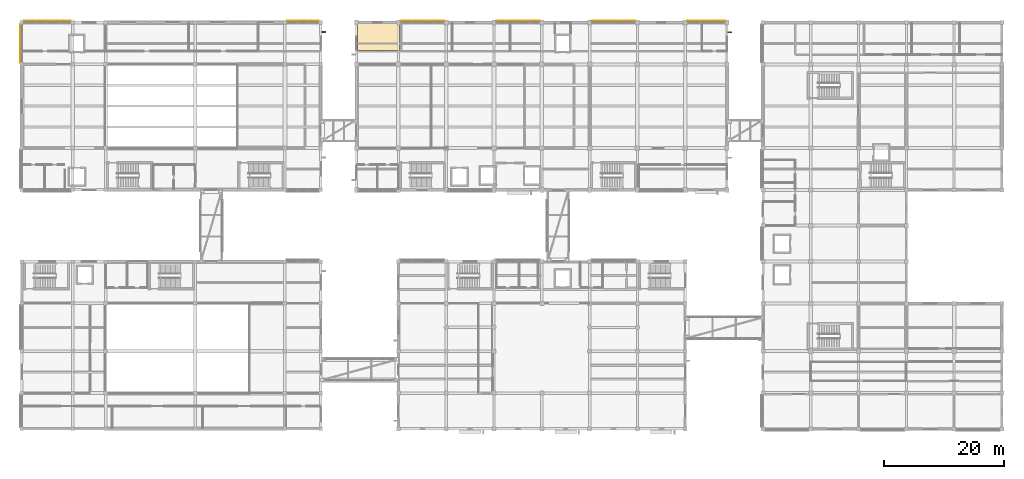
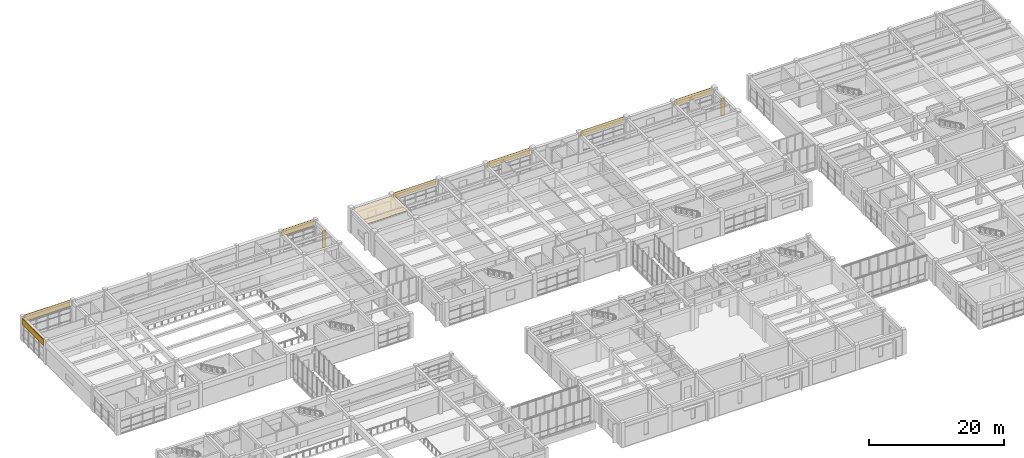
# One storey, part 69 of 72: 8 coverings, 2 shading devices.
"""IFC4 building model written with IfcOpenShell, lengths in metres."""

from ifc_helpers import new_model, si_unit, direction, frame, origin, origin_2d, place, context, subcontext, project, spatial, polyline, rectangle, outline, extrude, material, layer, layer_set, type_object, element, save


model = new_model("IFC4")

# Units and contexts
model_context = context("Model", 3, precision=1e-05, world=origin(), true_north=direction((0.0, 1.0)))
body_context = subcontext(model_context, "Body", "Model", "MODEL_VIEW")
ifc_project = project(units=[si_unit("LENGTHUNIT", "METRE"), si_unit("AREAUNIT", "SQUARE_METRE"), si_unit("VOLUMEUNIT", "CUBIC_METRE"), si_unit("PLANEANGLEUNIT", "RADIAN"), si_unit("MASSUNIT", "GRAM", prefix="KILO")], contexts=[model_context])

# Site, building, storey
site_placement = place(None, origin())
site = spatial("IfcSite", under=ifc_project, at=site_placement, CompositionType="ELEMENT")
building_placement = place(site_placement, origin())
building = spatial("IfcBuilding", under=site, at=building_placement, Name="Naurynzar Civic Courthouse", CompositionType="ELEMENT")
storey_placement = place(building_placement, frame((0.0, 0.0, 9.89990234375)))
storey = spatial("IfcBuildingStorey", under=building, at=storey_placement, Name="L03", CompositionType="ELEMENT", Elevation=9.89990234375)

# Coverings
ifc_material_1 = material(Name="Mineral Fibre Acoustic Ceiling")
ifc_layer_1 = layer(ifc_material_1, 0.030029296875)
ifc_layer_set_1 = layer_set([ifc_layer_1], Name="CEIL-MINERAL-30")
covering_type_1 = type_object("IfcCoveringType", Name="CEIL-MINERAL-30", PredefinedType="CEILING", material=ifc_layer_set_1)
covering_1_placement = place(storey_placement, frame((0.0, 0.0, 4.114990234375)))
element("IfcCovering", 1, at=covering_1_placement, inside=storey, type_object=covering_type_1, Name="Acoustic suspended ceiling Jury Room L03-N", PredefinedType="CEILING", context=body_context, shape_type="SweptSolid", body=[
    extrude(outline(polyline([(69.301025390625, 67.360107421875), (62.159912109375, 67.360107421875), (62.159912109375, 71.840087890625), (69.301025390625, 71.840087890625), (69.301025390625, 67.360107421875)])), origin(), (0.0, 0.0, 1.0), 0.030029296875),
])
ifc_material_2 = material(Name="Precast concrete C40/50", Category="concrete")
ifc_layer_2 = layer(ifc_material_2, 0.080078125)
ifc_layer_set_2 = layer_set([ifc_layer_2], Name="COV-CLAD-PRECAST-80")
covering_type_2 = type_object("IfcCoveringType", Name="COV-CLAD-PRECAST-80", PredefinedType="CLADDING", material=ifc_layer_set_2)
covering_2_placement = place(storey_placement, frame((5.7451171875, 68.5, 3.110107421875), z_axis=(0.0, 0.0, 1.0), x_axis=(0.0, 1.0, 0.0)))
element("IfcCovering", 2, at=covering_2_placement, inside=storey, type_object=covering_type_2, Name="V1 precast spandrel cladding 8", PredefinedType="CLADDING", context=body_context, shape_type="SweptSolid", body=[
    extrude(rectangle(XDim=6.39990234375, YDim=0.080078125, at=origin_2d()), origin(), (0.0, 0.0, 1.0), 1.1298828125),
])
covering_3_placement = place(storey_placement, frame((10.25, 72.2548828125, 3.110107421875), z_axis=(0.0, 0.0, 1.0), x_axis=(1.0, 0.0, 0.0)))
element("IfcCovering", 3, at=covering_3_placement, inside=storey, type_object=covering_type_2, Name="V1 precast spandrel cladding 9", PredefinedType="CLADDING", context=body_context, shape_type="SweptSolid", body=[
    extrude(rectangle(XDim=7.89990234375, YDim=0.080078125, at=origin_2d()), origin(), (0.0, 0.0, 1.0), 1.1298828125),
])
covering_4_placement = place(storey_placement, frame((53.0, 72.2548828125, 3.110107421875), z_axis=(0.0, 0.0, 1.0), x_axis=(1.0, 0.0, 0.0)))
element("IfcCovering", 4, at=covering_4_placement, inside=storey, type_object=covering_type_2, Name="V1 precast spandrel cladding 10", PredefinedType="CLADDING", context=body_context, shape_type="SweptSolid", body=[
    extrude(rectangle(XDim=5.39990234375, YDim=0.080078125, at=origin_2d()), origin(), (0.0, 0.0, 1.0), 1.1298828125),
])
for number, where, z_axis, x_axis, name in (
    (5, (73.0, 72.2548828125, 3.22998046875), (0.0, 0.0, 1.0), (1.0, 0.0, 0.0), "V2 precast spandrel cladding 24"),
    (6, (89.0, 72.2548828125, 3.22998046875), (0.0, 0.0, 1.0), (1.0, 0.0, 0.0), "V2 precast spandrel cladding 25"),
    (7, (105.0, 72.2548828125, 3.22998046875), (0.0, 0.0, 1.0), (1.0, 0.0, 0.0), "V2 precast spandrel cladding 26"),
):
    element("IfcCovering", number, at=place(storey_placement, frame(where, z_axis=z_axis, x_axis=x_axis)), inside=storey, type_object=covering_type_2, Name=name, PredefinedType="CLADDING", context=body_context, shape_type="SweptSolid", body=[
        extrude(rectangle(XDim=7.300048828125, YDim=0.080078125, at=origin_2d()), origin(), (0.0, 0.0, 1.0), 0.969970703125),
    ])
covering_5_placement = place(storey_placement, frame((120.5, 72.2548828125, 3.22998046875), z_axis=(0.0, 0.0, 1.0), x_axis=(1.0, 0.0, 0.0)))
element("IfcCovering", 8, at=covering_5_placement, inside=storey, type_object=covering_type_2, Name="V2 precast spandrel cladding 27", PredefinedType="CLADDING", context=body_context, shape_type="SweptSolid", body=[
    extrude(rectangle(XDim=6.300048828125, YDim=0.080078125, at=origin_2d()), origin(), (0.0, 0.0, 1.0), 0.969970703125),
])

# Shading devices
ifc_material_3 = material(Name="Precast concrete C40/50", Category="concrete")
shading_device_type = type_object("IfcShadingDeviceType", Name="SHD-FIN-V650", PredefinedType="JALOUSIE", material=ifc_material_3)
shading_device_1_placement = place(storey_placement, frame((56.47998046875, 70.419921875, 0.0400390625), z_axis=(0.0, 0.0, 1.0), x_axis=(0.0, -1.0, 0.0)))
element("IfcShadingDevice", 9, at=shading_device_1_placement, inside=storey, type_object=shading_device_type, Name="V1 vertical brise-soleil fin 3", PredefinedType="JALOUSIE", context=body_context, shape_type="SweptSolid", body=[
    extrude(rectangle(XDim=0.179931640625, YDim=0.64990234375, at=origin_2d()), origin(), (0.0, 0.0, 1.0), 3.030029296875),
])
shading_device_2_placement = place(storey_placement, frame((124.469970703125, 70.344970703125, 0.0400390625), z_axis=(0.0, 0.0, 1.0), x_axis=(0.0, -1.0, 0.0)))
element("IfcShadingDevice", 10, at=shading_device_2_placement, inside=storey, type_object=shading_device_type, Name="V2 vertical brise-soleil fin 14", PredefinedType="JALOUSIE", context=body_context, shape_type="SweptSolid", body=[
    extrude(rectangle(XDim=0.179931640625, YDim=0.64990234375, at=origin_2d()), origin(), (0.0, 0.0, 1.0), 3.14990234375),
])

save(model, "model.ifc")
